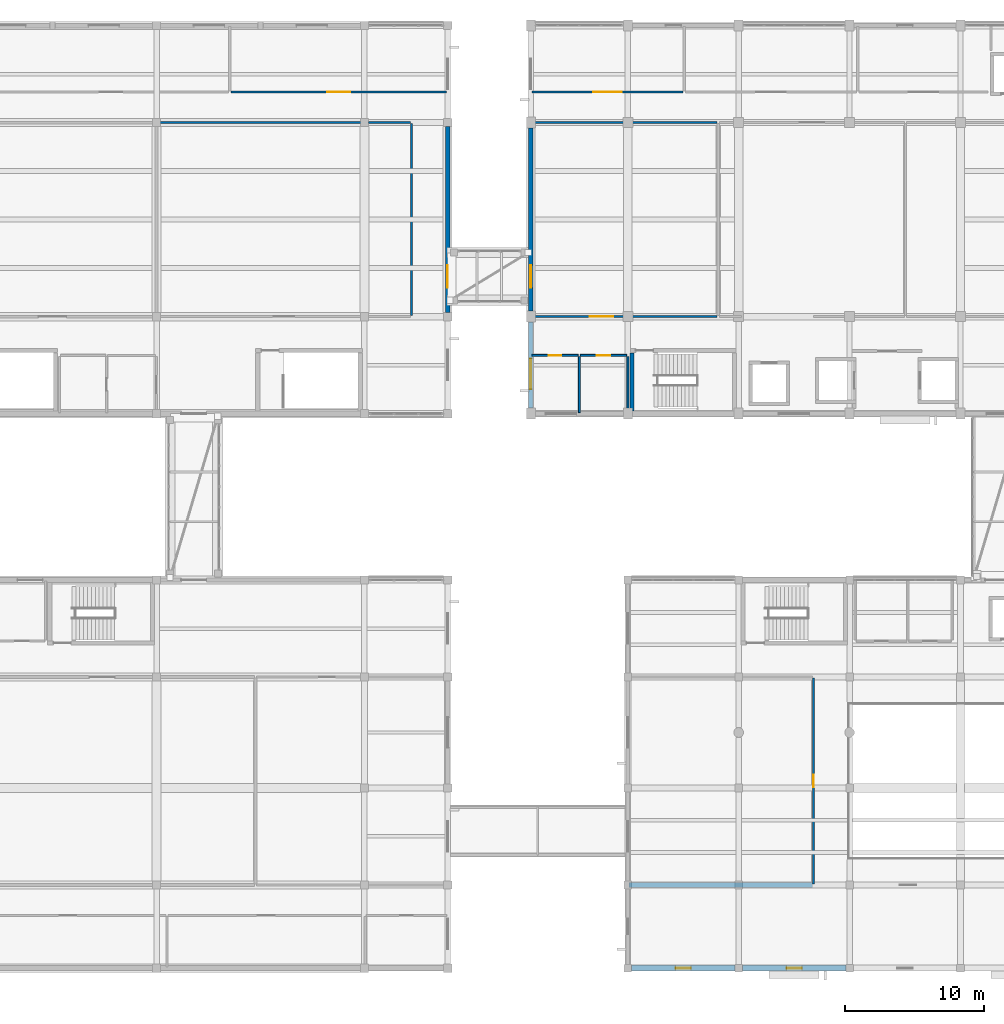
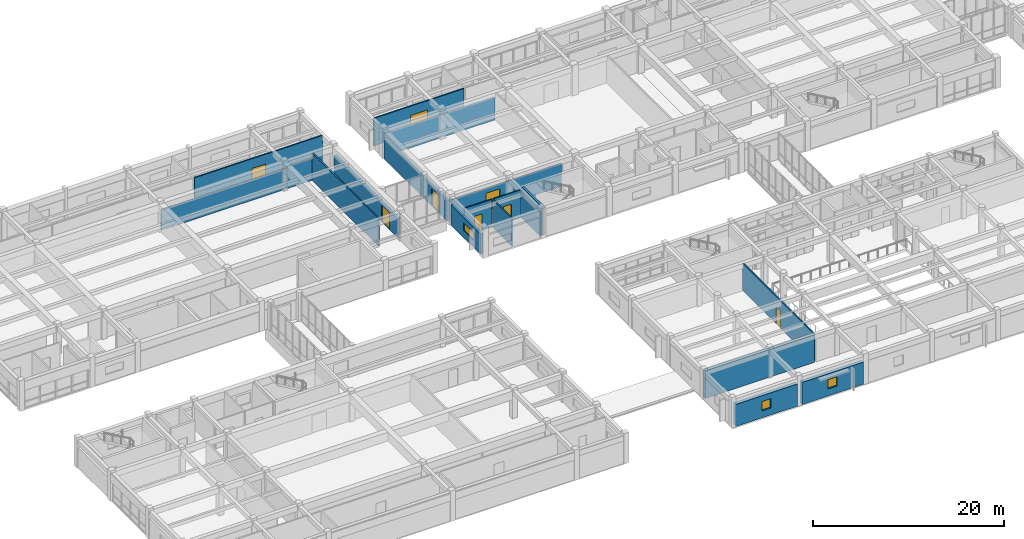
# One storey, part 47 of 66: 19 walls, 8 doors, 3 windows, 11 openings.
"""IFC4 building model written with IfcOpenShell, lengths in metres."""

from ifc_helpers import new_model, si_unit, direction, frame, frame_2d, origin, place, context, subcontext, project, spatial, rectangle, extrude, material, layer, layer_set, type_object, element, fill, save


model = new_model("IFC4")

# Units and contexts
model_context = context("Model", 3, precision=1e-05, world=origin(), true_north=direction((0.0, 1.0)))
body_context = subcontext(model_context, "Body", "Model", "MODEL_VIEW")
ifc_project = project(units=[si_unit("LENGTHUNIT", "METRE"), si_unit("AREAUNIT", "SQUARE_METRE"), si_unit("VOLUMEUNIT", "CUBIC_METRE"), si_unit("PLANEANGLEUNIT", "RADIAN"), si_unit("MASSUNIT", "GRAM", prefix="KILO")], contexts=[model_context])

# Site, building, storey
site_placement = place(None, origin())
site = spatial("IfcSite", under=ifc_project, at=site_placement, CompositionType="ELEMENT")
building_placement = place(site_placement, origin())
building = spatial("IfcBuilding", under=site, at=building_placement, Name="Naurynzar Civic Courthouse", CompositionType="ELEMENT")
storey_placement = place(building_placement, frame((0.0, 0.0, 14.39990234375)))
storey = spatial("IfcBuildingStorey", under=building, at=storey_placement, Name="L04", CompositionType="ELEMENT", Elevation=14.39990234375)

# Wall, opening, door
ifc_material_1 = material(Name="Acoustic Double-Stud Gypsum Partition")
ifc_layer_1 = layer(ifc_material_1, 0.14501953125)
ifc_layer_set_1 = layer_set([ifc_layer_1], Name="WL-ACOUSTIC-145")
wall_type_1 = type_object("IfcWallType", Name="WL-ACOUSTIC-145", PredefinedType="PARTITIONING", material=ifc_layer_set_1)
wall_1_placement = place(storey_placement, frame((62.080078125, 51.0, 0.0), z_axis=(0.0, 0.0, 1.0), x_axis=(1.0, 0.0, 0.0)))
wall_1 = element("IfcWall", 1, at=wall_1_placement, inside=storey, type_object=wall_type_1, Name="V2 interior partition L04.484", PredefinedType="PARTITIONING", context=body_context, shape_type="SweptSolid", body=[
    extrude(rectangle(XDim=13.35986328125, YDim=0.14501953125, at=frame_2d((6.679931640625, 0.0))), origin(), (0.0, 0.0, 1.0), 2.93017578125),
])
opening_1_placement = place(wall_1_placement, frame((4.18603515625, 0.0, 0.0)))
opening_1 = element("IfcOpeningElement", 2, at=opening_1_placement, cuts=wall_1, Name="Opening D-142", PredefinedType="OPENING", context=body_context, shape_type="SweptSolid", body=[
    extrude(rectangle(XDim=1.699951171875, YDim=2.300048828125, at=frame_2d((0.85009765625, 1.14990234375))), frame((0.0, 0.08251953125, 0.0), z_axis=(0.0, -1.0, 0.0), x_axis=(1.0, 0.0, 0.0)), (0.0, 0.0, 1.0), 0.1650390625),
])
ifc_material_2 = material(Name="Acoustic Oak Timber Grade A", Category="wood")
door_type_1 = type_object("IfcDoorType", Name="DR-SUITE-1700x2300", OperationType="DOUBLE_DOOR_SINGLE_SWING", PredefinedType="DOOR", material=ifc_material_2)
door_1_placement = place(opening_1_placement, origin())
door_1 = element("IfcDoor", 3, at=door_1_placement, inside=storey, type_object=door_type_1, Name="Interior door D-142 (Commercial Courtroom 4A)", OperationType="DOUBLE_DOOR_SINGLE_SWING", OverallHeight=2.300048828125, OverallWidth=1.699951171875, PredefinedType="DOOR", context=body_context, shape_type="SweptSolid", body=[
    extrude(rectangle(XDim=1.699951171875, YDim=2.300048828125, at=frame_2d((0.85009765625, 1.14990234375))), frame((0.0, 0.02490234375, 0.0), z_axis=(0.0, -1.0, 0.0), x_axis=(1.0, 0.0, 0.0)), (0.0, 0.0, 1.0), 0.050048828125),
])
fill(opening_1, door_1)

# Walls
wall_2_placement = place(storey_placement, frame((62.080078125, 65.0, 0.0), z_axis=(0.0, 0.0, 1.0), x_axis=(1.0, 0.0, 0.0)))
element("IfcWall", 4, at=wall_2_placement, inside=storey, type_object=wall_type_1, Name="V2 interior partition L04.496", PredefinedType="PARTITIONING", context=body_context, shape_type="SweptSolid", body=[
    extrude(rectangle(XDim=13.35986328125, YDim=0.14501953125, at=frame_2d((6.679931640625, 0.0))), origin(), (0.0, 0.0, 1.0), 2.93017578125),
])
ifc_material_3 = material(Name="Concrete C40/50", Category="concrete")
ifc_layer_2 = layer(ifc_material_3, 0.300048828125)
ifc_layer_set_2 = layer_set([ifc_layer_2], Name="WL-CORE-300")
wall_type_2 = type_object("IfcWallType", Name="WL-CORE-300", PredefinedType="SHEAR", material=ifc_layer_set_2)
wall_3_placement = place(storey_placement, frame((69.300048828125, 48.39501953125, 0.0), z_axis=(0.0, 0.0, 1.0), x_axis=(0.0, -1.0, 0.0)))
element("IfcWall", 5, at=wall_3_placement, inside=storey, type_object=wall_type_2, Name="Stair ST-V2A enclosure wall west L04", PredefinedType="SHEAR", context=body_context, shape_type="SweptSolid", body=[
    extrude(rectangle(XDim=4.199951171875, YDim=0.300048828125, at=frame_2d((2.10009765625, 0.0))), origin(), (0.0, 0.0, 1.0), 3.6201171875),
])
ifc_material_4 = material(Name="Concrete C40/50", Category="concrete")
ifc_layer_3 = layer(ifc_material_4, 0.35009765625)
ifc_layer_set_3 = layer_set([ifc_layer_3], Name="WL-CORE-350")
wall_type_3 = type_object("IfcWallType", Name="WL-CORE-350", PredefinedType="SHEAR", material=ifc_layer_set_3)
wall_4_placement = place(storey_placement, frame((69.080078125, 10.0, 0.0), z_axis=(0.0, 0.0, 1.0), x_axis=(1.0, 0.0, 0.0)))
element("IfcWall", 6, at=wall_4_placement, inside=storey, type_object=wall_type_3, Name="V3 interior partition L04.447", PredefinedType="SHEAR", context=body_context, shape_type="SweptSolid", body=[
    extrude(rectangle(XDim=13.239990234375, YDim=0.35009765625, at=frame_2d((6.6201171875, 0.0))), origin(), (0.0, 0.0, 1.0), 3.5400390625),
])

# Wall, opening, window
ifc_material_5 = material(Name="Precast concrete C40/50", Category="concrete")
ifc_layer_4 = layer(ifc_material_5, 0.300048828125)
ifc_layer_set_4 = layer_set([ifc_layer_4], Name="WL-EXT-300")
wall_type_4 = type_object("IfcWallType", Name="WL-EXT-300", PredefinedType="SOLIDWALL", material=ifc_layer_set_4)
wall_5_placement = place(storey_placement, frame((62.0, 44.39990234375, 0.0), z_axis=(0.0, 0.0, 1.0), x_axis=(0.0, 1.0, 0.0)))
wall_5 = element("IfcWall", 7, at=wall_5_placement, inside=storey, type_object=wall_type_4, Name="V2 exterior wall west L04.1.1", PredefinedType="SOLIDWALL", context=body_context, shape_type="SweptSolid", body=[
    extrude(rectangle(XDim=6.2001953125, YDim=0.300048828125, at=frame_2d((3.10009765625, 0.0))), origin(), (0.0, 0.0, 1.0), 2.610107421875),
])
opening_2_placement = place(wall_5_placement, frame((1.3798828125, 0.0, 0.89990234375)))
opening_2 = element("IfcOpeningElement", 8, at=opening_2_placement, cuts=wall_5, Name="Opening WN-18", PredefinedType="OPENING", context=body_context, shape_type="SweptSolid", body=[
    extrude(rectangle(XDim=2.199951171875, YDim=1.0, at=frame_2d((1.10009765625, 0.5))), frame((0.0, 0.159912109375, 0.0), z_axis=(0.0, -1.0, 0.0), x_axis=(1.0, 0.0, 0.0)), (0.0, 0.0, 1.0), 0.320068359375),
])
ifc_material_6 = material(Name="Tempered Laminated Low-E Glass", Category="glass")
window_type_1 = type_object("IfcWindowType", Name="WIN-CLER-2200x1000", PartitioningType="DOUBLE_PANEL_VERTICAL", PredefinedType="WINDOW", material=ifc_material_6)
window_1_placement = place(opening_2_placement, origin())
window_1 = element("IfcWindow", 9, at=window_1_placement, inside=storey, type_object=window_type_1, Name="V2 window 71 L04", OverallHeight=1.0, OverallWidth=2.199951171875, PartitioningType="SINGLE_PANEL", PredefinedType="WINDOW", context=body_context, shape_type="SweptSolid", body=[
    extrude(rectangle(XDim=2.199951171875, YDim=1.0, at=frame_2d((1.10009765625, 0.5))), frame((0.0, 0.030029296875, 0.0), z_axis=(0.0, -1.0, 0.0), x_axis=(1.0, 0.0, 0.0)), (0.0, 0.0, 1.0), 0.06005859375),
])
fill(opening_2, window_1)

# Wall, opening, door
wall_6_placement = place(storey_placement, frame((62.0, 51.39990234375, 0.0), z_axis=(0.0, 0.0, 1.0), x_axis=(0.0, 1.0, 0.0)))
wall_6 = element("IfcWall", 10, at=wall_6_placement, inside=storey, type_object=wall_type_4, Name="V2 exterior wall west L04.2.1", PredefinedType="SOLIDWALL", context=body_context, shape_type="SweptSolid", body=[
    extrude(rectangle(XDim=13.2001953125, YDim=0.300048828125, at=frame_2d((6.60009765625, 0.0))), origin(), (0.0, 0.0, 1.0), 2.610107421875),
])
opening_3_placement = place(wall_6_placement, frame((1.675048828125, 0.0, 0.0)))
opening_3 = element("IfcOpeningElement", 11, at=opening_3_placement, cuts=wall_6, Name="Opening BD-14", PredefinedType="OPENING", context=body_context, shape_type="SweptSolid", body=[
    extrude(rectangle(XDim=1.64990234375, YDim=2.199951171875, at=frame_2d((0.824951171875, 1.10009765625))), frame((0.0, 0.159912109375, 0.0), z_axis=(0.0, -1.0, 0.0), x_axis=(1.0, 0.0, 0.0)), (0.0, 0.0, 1.0), 0.320068359375),
])
ifc_material_7 = material(Name="Aluminium 6063-T6", Category="aluminium")
door_type_2 = type_object("IfcDoorType", Name="DR-BRG-1650x2200", OperationType="DOUBLE_DOOR_SINGLE_SWING", PredefinedType="DOOR", material=ifc_material_7)
door_2_placement = place(opening_3_placement, origin())
door_2 = element("IfcDoor", 12, at=door_2_placement, inside=storey, type_object=door_type_2, Name="Seismic bridge fire door BD-14", OperationType="DOUBLE_DOOR_SINGLE_SWING", OverallHeight=2.199951171875, OverallWidth=1.64990234375, PredefinedType="DOOR", context=body_context, shape_type="SweptSolid", body=[
    extrude(rectangle(XDim=1.64990234375, YDim=2.199951171875, at=frame_2d((0.824951171875, 1.10009765625))), frame((0.0, 0.02490234375, 0.0), z_axis=(0.0, -1.0, 0.0), x_axis=(1.0, 0.0, 0.0)), (0.0, 0.0, 1.0), 0.050048828125),
])
fill(opening_3, door_2)

ifc_material_8 = material(Name="Precast concrete C40/50", Category="concrete")
ifc_layer_5 = layer(ifc_material_8, 0.320068359375)
ifc_layer_set_5 = layer_set([ifc_layer_5], Name="WL-EXT-320")
wall_type_5 = type_object("IfcWallType", Name="WL-EXT-320", PredefinedType="SOLIDWALL", material=ifc_layer_set_5)
wall_7_placement = place(storey_placement, frame((56.0, 64.699951171875, 0.0), z_axis=(0.0, 0.0, 1.0), x_axis=(0.0, -1.0, 0.0)))
wall_7 = element("IfcWall", 13, at=wall_7_placement, inside=storey, type_object=wall_type_5, Name="V1 exterior wall east L04.2.1", PredefinedType="SOLIDWALL", context=body_context, shape_type="SweptSolid", body=[
    extrude(rectangle(XDim=13.39990234375, YDim=0.320068359375, at=frame_2d((6.699951171875, 0.0))), origin(), (0.0, 0.0, 1.0), 2.460205078125),
])
opening_4_placement = place(wall_7_placement, frame((9.97509765625, 0.0, 0.0)))
opening_4 = element("IfcOpeningElement", 14, at=opening_4_placement, cuts=wall_7, Name="Opening BD-06", PredefinedType="OPENING", context=body_context, shape_type="SweptSolid", body=[
    extrude(rectangle(XDim=1.64990234375, YDim=2.199951171875, at=frame_2d((0.824951171875, 1.10009765625))), frame((0.0, 0.169921875, 0.0), z_axis=(0.0, -1.0, 0.0), x_axis=(1.0, 0.0, 0.0)), (0.0, 0.0, 1.0), 0.340087890625),
])
door_3_placement = place(opening_4_placement, origin())
door_3 = element("IfcDoor", 15, at=door_3_placement, inside=storey, type_object=door_type_2, Name="Seismic bridge fire door BD-06", OperationType="DOUBLE_DOOR_SINGLE_SWING", OverallHeight=2.199951171875, OverallWidth=1.64990234375, PredefinedType="DOOR", context=body_context, shape_type="SweptSolid", body=[
    extrude(rectangle(XDim=1.64990234375, YDim=2.199951171875, at=frame_2d((0.824951171875, 1.10009765625))), frame((0.0, 0.02490234375, 0.0), z_axis=(0.0, -1.0, 0.0), x_axis=(1.0, 0.0, 0.0)), (0.0, 0.0, 1.0), 0.050048828125),
])
fill(opening_4, door_3)

ifc_material_9 = material(Name="Insulated Metal-Stud Gypsum Partition")
ifc_layer_6 = layer(ifc_material_9, 0.159912109375)
ifc_layer_set_6 = layer_set([ifc_layer_6], Name="WL-PART-CHAMB-160")
wall_type_6 = type_object("IfcWallType", Name="WL-PART-CHAMB-160", PredefinedType="PARTITIONING", material=ifc_layer_set_6)
wall_8_placement = place(storey_placement, frame((40.3701171875, 67.199951171875, 0.0), z_axis=(0.0, 0.0, 1.0), x_axis=(1.0, 0.0, 0.0)))
wall_8 = element("IfcWall", 16, at=wall_8_placement, inside=storey, type_object=wall_type_6, Name="V1 interior partition L04.506", PredefinedType="PARTITIONING", context=body_context, shape_type="SweptSolid", body=[
    extrude(rectangle(XDim=15.5498046875, YDim=0.159912109375, at=frame_2d((7.77490234375, 0.0))), origin(), (0.0, 0.0, 1.0), 3.5400390625),
])
opening_5_placement = place(wall_8_placement, frame((6.949951171875, 0.0, 0.0)))
opening_5 = element("IfcOpeningElement", 17, at=opening_5_placement, cuts=wall_8, Name="Opening D-048", PredefinedType="OPENING", context=body_context, shape_type="SweptSolid", body=[
    extrude(rectangle(XDim=1.64990234375, YDim=2.300048828125, at=frame_2d((0.824951171875, 1.14990234375))), frame((0.0, 0.08984375, 0.0), z_axis=(0.0, -1.0, 0.0), x_axis=(1.0, 0.0, 0.0)), (0.0, 0.0, 1.0), 0.179931640625),
])
ifc_material_10 = material(Name="Acoustic Oak Timber Grade A", Category="wood")
door_type_3 = type_object("IfcDoorType", Name="DR-SUITE-1650x2300", OperationType="DOUBLE_DOOR_SINGLE_SWING", PredefinedType="DOOR", material=ifc_material_10)
door_4_placement = place(opening_5_placement, origin())
door_4 = element("IfcDoor", 18, at=door_4_placement, inside=storey, type_object=door_type_3, Name="Interior door D-048 (Appellate Clerks' Chambers)", OperationType="DOUBLE_DOOR_SINGLE_SWING", OverallHeight=2.300048828125, OverallWidth=1.64990234375, PredefinedType="DOOR", context=body_context, shape_type="SweptSolid", body=[
    extrude(rectangle(XDim=1.64990234375, YDim=2.300048828125, at=frame_2d((0.824951171875, 1.14990234375))), frame((0.0, 0.02490234375, 0.0), z_axis=(0.0, -1.0, 0.0), x_axis=(1.0, 0.0, 0.0)), (0.0, 0.0, 1.0), 0.050048828125),
])
fill(opening_5, door_4)

wall_9_placement = place(storey_placement, frame((62.080078125, 67.199951171875, 0.0), z_axis=(0.0, 0.0, 1.0), x_axis=(1.0, 0.0, 0.0)))
wall_9 = element("IfcWall", 19, at=wall_9_placement, inside=storey, type_object=wall_type_6, Name="V2 interior partition L04.507", PredefinedType="PARTITIONING", context=body_context, shape_type="SweptSolid", body=[
    extrude(rectangle(XDim=10.909912109375, YDim=0.159912109375, at=frame_2d((5.455078125, 0.0))), origin(), (0.0, 0.0, 1.0), 3.5400390625),
])
opening_6_placement = place(wall_9_placement, frame((4.429931640625, 0.0, 0.0)))
opening_6 = element("IfcOpeningElement", 20, at=opening_6_placement, cuts=wall_9, Name="Opening D-146", PredefinedType="OPENING", context=body_context, shape_type="SweptSolid", body=[
    extrude(rectangle(XDim=2.050048828125, YDim=2.35009765625, at=frame_2d((1.02490234375, 1.175048828125))), frame((0.0, 0.08984375, 0.0), z_axis=(0.0, -1.0, 0.0), x_axis=(1.0, 0.0, 0.0)), (0.0, 0.0, 1.0), 0.179931640625),
])
ifc_material_11 = material(Name="Acoustic Oak Timber Grade A", Category="wood")
door_type_4 = type_object("IfcDoorType", Name="DR-SUITE-2050x2350", OperationType="DOUBLE_DOOR_SINGLE_SWING", PredefinedType="DOOR", material=ifc_material_11)
door_5_placement = place(opening_6_placement, origin())
door_5 = element("IfcDoor", 21, at=door_5_placement, inside=storey, type_object=door_type_4, Name="Interior door D-146 (Judges' Chambers L04-1)", OperationType="DOUBLE_DOOR_SINGLE_SWING", OverallHeight=2.35009765625, OverallWidth=2.050048828125, PredefinedType="DOOR", context=body_context, shape_type="SweptSolid", body=[
    extrude(rectangle(XDim=2.050048828125, YDim=2.35009765625, at=frame_2d((1.02490234375, 1.175048828125))), frame((0.0, 0.02490234375, 0.0), z_axis=(0.0, -1.0, 0.0), x_axis=(1.0, 0.0, 0.0)), (0.0, 0.0, 1.0), 0.050048828125),
])
fill(opening_6, door_5)

# Walls
ifc_material_12 = material(Name="Fire-Rated Corridor Gypsum Partition")
ifc_layer_7 = layer(ifc_material_12, 0.14990234375)
ifc_layer_set_7 = layer_set([ifc_layer_7], Name="WL-PART-CORR-150")
wall_type_7 = type_object("IfcWallType", Name="WL-PART-CORR-150", PredefinedType="PARTITIONING", material=ifc_layer_set_7)
wall_10_placement = place(storey_placement, frame((35.080078125, 65.0, 0.0), z_axis=(0.0, 0.0, 1.0), x_axis=(1.0, 0.0, 0.0)))
element("IfcWall", 22, at=wall_10_placement, inside=storey, type_object=wall_type_7, Name="V1 interior partition L04.495a", PredefinedType="PARTITIONING", context=body_context, shape_type="SweptSolid", body=[
    extrude(rectangle(XDim=15.219970703125, YDim=0.14990234375, at=frame_2d((7.60986328125, 0.0))), origin(), (0.0, 0.0, 1.0), 2.630126953125),
])
wall_11_placement = place(storey_placement, frame((50.300048828125, 65.0, 0.0), z_axis=(0.0, 0.0, 1.0), x_axis=(1.0, 0.0, 0.0)))
element("IfcWall", 23, at=wall_11_placement, inside=storey, type_object=wall_type_7, Name="V1 interior partition L04.495ab", PredefinedType="PARTITIONING", context=body_context, shape_type="SweptSolid", body=[
    extrude(rectangle(XDim=3.02001953125, YDim=0.14990234375, at=frame_2d((1.510009765625, 0.0))), origin(), (0.0, 0.0, 1.0), 2.830078125),
])
wall_12_placement = place(storey_placement, frame((53.39990234375, 51.080078125, 0.0), z_axis=(0.0, 0.0, 1.0), x_axis=(0.0, 1.0, 0.0)))
element("IfcWall", 24, at=wall_12_placement, inside=storey, type_object=wall_type_7, Name="V1 interior partition L04.530", PredefinedType="PARTITIONING", context=body_context, shape_type="SweptSolid", body=[
    extrude(rectangle(XDim=13.83984375, YDim=0.14990234375, at=frame_2d((6.919921875, 0.0))), origin(), (0.0, 0.0, 1.0), 3.5400390625),
])

# Wall, opening, door
wall_13_placement = place(storey_placement, frame((82.39990234375, 10.080078125, 0.0), z_axis=(0.0, 0.0, 1.0), x_axis=(0.0, 1.0, 0.0)))
wall_13 = element("IfcWall", 25, at=wall_13_placement, inside=storey, type_object=wall_type_7, Name="V3 interior partition L04.535", PredefinedType="PARTITIONING", context=body_context, shape_type="SweptSolid", body=[
    extrude(rectangle(XDim=14.83984375, YDim=0.14990234375, at=frame_2d((7.419921875, 0.0))), origin(), (0.0, 0.0, 1.0), 3.5400390625),
])
opening_7_placement = place(wall_13_placement, frame((6.969970703125, 0.0, 0.0)))
opening_7 = element("IfcOpeningElement", 26, at=opening_7_placement, cuts=wall_13, Name="Opening D-250", PredefinedType="OPENING", context=body_context, shape_type="SweptSolid", body=[
    extrude(rectangle(XDim=0.89990234375, YDim=2.14990234375, at=frame_2d((0.449951171875, 1.074951171875))), frame((0.0, 0.0849609375, 0.0), z_axis=(0.0, -1.0, 0.0), x_axis=(1.0, 0.0, 0.0)), (0.0, 0.0, 1.0), 0.169921875),
])
ifc_material_13 = material(Name="Acoustic Oak Timber Grade A", Category="wood")
door_type_5 = type_object("IfcDoorType", Name="DR-SUITE-900x2150", OperationType="NOTDEFINED", PredefinedType="DOOR", material=ifc_material_13)
door_6_placement = place(opening_7_placement, origin())
door_6 = element("IfcDoor", 27, at=door_6_placement, inside=storey, type_object=door_type_5, Name="Interior door D-250 (Law Library Reading Room West)", OperationType="SINGLE_SWING_RIGHT", OverallHeight=2.14990234375, OverallWidth=0.89990234375, PredefinedType="DOOR", context=body_context, shape_type="SweptSolid", body=[
    extrude(rectangle(XDim=0.89990234375, YDim=2.14990234375, at=frame_2d((0.449951171875, 1.074951171875))), frame((0.0, 0.02490234375, 0.0), z_axis=(0.0, -1.0, 0.0), x_axis=(1.0, 0.0, 0.0)), (0.0, 0.0, 1.0), 0.050048828125),
])
fill(opening_7, door_6)

ifc_material_14 = material(Name="Moisture-Resistant Plumbing Partition")
ifc_layer_8 = layer(ifc_material_14, 0.139892578125)
ifc_layer_set_8 = layer_set([ifc_layer_8], Name="WL-PART-WC-140")
wall_type_8 = type_object("IfcWallType", Name="WL-PART-WC-140", PredefinedType="PLUMBINGWALL", material=ifc_layer_set_8)
wall_14_placement = place(storey_placement, frame((62.080078125, 48.199951171875, 0.0), z_axis=(0.0, 0.0, 1.0), x_axis=(1.0, 0.0, 0.0)))
wall_14 = element("IfcWall", 28, at=wall_14_placement, inside=storey, type_object=wall_type_8, Name="V2 interior partition L04.476", PredefinedType="PLUMBINGWALL", context=body_context, shape_type="SweptSolid", body=[
    extrude(rectangle(XDim=3.33984375, YDim=0.139892578125, at=frame_2d((1.669921875, 0.0))), origin(), (0.0, 0.0, 1.0), 3.5400390625),
])
opening_8_placement = place(wall_14_placement, frame((1.2099609375, 0.0, 0.0)))
opening_8 = element("IfcOpeningElement", 29, at=opening_8_placement, cuts=wall_14, Name="Opening D-139", PredefinedType="OPENING", context=body_context, shape_type="SweptSolid", body=[
    extrude(rectangle(XDim=0.919921875, YDim=2.10009765625, at=frame_2d((0.4599609375, 1.050048828125))), frame((0.0, 0.079833984375, 0.0), z_axis=(0.0, -1.0, 0.0), x_axis=(1.0, 0.0, 0.0)), (0.0, 0.0, 1.0), 0.159912109375),
])
ifc_material_15 = material(Name="Acoustic Oak Timber Grade A", Category="wood")
door_type_6 = type_object("IfcDoorType", Name="DR-WC-STD-920x2100", OperationType="NOTDEFINED", PredefinedType="DOOR", material=ifc_material_15)
door_7_placement = place(opening_8_placement, origin())
door_7 = element("IfcDoor", 30, at=door_7_placement, inside=storey, type_object=door_type_6, Name="Interior door D-139 (Public WC V2)", OperationType="SINGLE_SWING_LEFT", OverallHeight=2.10009765625, OverallWidth=0.919921875, PredefinedType="DOOR", context=body_context, shape_type="SweptSolid", body=[
    extrude(rectangle(XDim=0.919921875, YDim=2.10009765625, at=frame_2d((0.4599609375, 1.050048828125))), frame((0.0, 0.02490234375, 0.0), z_axis=(0.0, -1.0, 0.0), x_axis=(1.0, 0.0, 0.0)), (0.0, 0.0, 1.0), 0.050048828125),
])
fill(opening_8, door_7)

wall_15_placement = place(storey_placement, frame((65.580078125, 48.199951171875, 0.0), z_axis=(0.0, 0.0, 1.0), x_axis=(1.0, 0.0, 0.0)))
wall_15 = element("IfcWall", 31, at=wall_15_placement, inside=storey, type_object=wall_type_8, Name="V2 interior partition L04.477", PredefinedType="PLUMBINGWALL", context=body_context, shape_type="SweptSolid", body=[
    extrude(rectangle(XDim=3.33984375, YDim=0.139892578125, at=frame_2d((1.669921875, 0.0))), origin(), (0.0, 0.0, 1.0), 3.5400390625),
])
opening_9_placement = place(wall_15_placement, frame((1.18994140625, 0.0, 0.0)))
opening_9 = element("IfcOpeningElement", 32, at=opening_9_placement, cuts=wall_15, Name="Opening D-140", PredefinedType="OPENING", context=body_context, shape_type="SweptSolid", body=[
    extrude(rectangle(XDim=0.9599609375, YDim=2.10009765625, at=frame_2d((0.47998046875, 1.050048828125))), frame((0.0, 0.079833984375, 0.0), z_axis=(0.0, -1.0, 0.0), x_axis=(1.0, 0.0, 0.0)), (0.0, 0.0, 1.0), 0.159912109375),
])
ifc_material_16 = material(Name="Acoustic Oak Timber Grade A", Category="wood")
door_type_7 = type_object("IfcDoorType", Name="DR-WC-ACC-960x2100", OperationType="NOTDEFINED", PredefinedType="DOOR", material=ifc_material_16)
door_8_placement = place(opening_9_placement, origin())
door_8 = element("IfcDoor", 33, at=door_8_placement, inside=storey, type_object=door_type_7, Name="Interior door D-140 (Accessible WC V2)", OperationType="SINGLE_SWING_RIGHT", OverallHeight=2.10009765625, OverallWidth=0.9599609375, PredefinedType="DOOR", context=body_context, shape_type="SweptSolid", body=[
    extrude(rectangle(XDim=0.9599609375, YDim=2.10009765625, at=frame_2d((0.47998046875, 1.050048828125))), frame((0.0, 0.02490234375, 0.0), z_axis=(0.0, -1.0, 0.0), x_axis=(1.0, 0.0, 0.0)), (0.0, 0.0, 1.0), 0.050048828125),
])
fill(opening_9, door_8)

# Walls
wall_16_placement = place(storey_placement, frame((65.5, 44.080078125, 0.0), z_axis=(0.0, 0.0, 1.0), x_axis=(0.0, 1.0, 0.0)))
element("IfcWall", 34, at=wall_16_placement, inside=storey, type_object=wall_type_8, Name="V2 interior partition L04.531", PredefinedType="PLUMBINGWALL", context=body_context, shape_type="SweptSolid", body=[
    extrude(rectangle(XDim=4.0400390625, YDim=0.139892578125, at=frame_2d((2.02001953125, 0.0))), origin(), (0.0, 0.0, 1.0), 3.5400390625),
])
wall_17_placement = place(storey_placement, frame((69.0, 44.080078125, 0.0), z_axis=(0.0, 0.0, 1.0), x_axis=(0.0, 1.0, 0.0)))
element("IfcWall", 35, at=wall_17_placement, inside=storey, type_object=wall_type_8, Name="V2 interior partition L04.532", PredefinedType="PLUMBINGWALL", context=body_context, shape_type="SweptSolid", body=[
    extrude(rectangle(XDim=4.0400390625, YDim=0.139892578125, at=frame_2d((2.02001953125, 0.0))), origin(), (0.0, 0.0, 1.0), 2.97998046875),
])

# Wall, opening, window
ifc_material_17 = material(Name="Concrete C40/50", Category="concrete")
ifc_layer_9 = layer(ifc_material_17, 0.419921875)
ifc_layer_set_9 = layer_set([ifc_layer_9], Name="WL-STACK-420")
wall_type_9 = type_object("IfcWallType", Name="WL-STACK-420", PredefinedType="SOLIDWALL", material=ifc_layer_set_9)
wall_18_placement = place(storey_placement, frame((84.72509765625, 4.0, 0.0), z_axis=(0.0, 0.0, 1.0), x_axis=(-1.0, 0.0, 0.0)))
wall_18 = element("IfcWall", 36, at=wall_18_placement, inside=storey, type_object=wall_type_9, Name="V3 exterior wall south L04.5.1", PredefinedType="SOLIDWALL", context=body_context, shape_type="SweptSolid", body=[
    extrude(rectangle(XDim=7.4501953125, YDim=0.419921875, at=frame_2d((3.72509765625, 0.0))), origin(), (0.0, 0.0, 1.0), 2.840087890625),
])
opening_10_placement = place(wall_18_placement, frame((3.175048828125, 0.0, 0.89990234375)))
opening_10 = element("IfcOpeningElement", 37, at=opening_10_placement, cuts=wall_18, Name="Opening WN-15", PredefinedType="OPENING", context=body_context, shape_type="SweptSolid", body=[
    extrude(rectangle(XDim=1.10009765625, YDim=1.199951171875, at=frame_2d((0.550048828125, 0.60009765625))), frame((0.0, 0.219970703125, 0.0), z_axis=(0.0, -1.0, 0.0), x_axis=(1.0, 0.0, 0.0)), (0.0, 0.0, 1.0), 0.43994140625),
])
ifc_material_18 = material(Name="Tempered Laminated Low-E Glass", Category="glass")
window_type_2 = type_object("IfcWindowType", Name="WIN-SEC-1100x1200", PartitioningType="SINGLE_PANEL", PredefinedType="WINDOW", material=ifc_material_18)
window_2_placement = place(opening_10_placement, origin())
window_2 = element("IfcWindow", 38, at=window_2_placement, inside=storey, type_object=window_type_2, Name="V3 window 188 L04", OverallHeight=1.199951171875, OverallWidth=1.10009765625, PartitioningType="SINGLE_PANEL", PredefinedType="WINDOW", context=body_context, shape_type="SweptSolid", body=[
    extrude(rectangle(XDim=1.10009765625, YDim=1.199951171875, at=frame_2d((0.550048828125, 0.60009765625))), frame((0.0, 0.030029296875, 0.0), z_axis=(0.0, -1.0, 0.0), x_axis=(1.0, 0.0, 0.0)), (0.0, 0.0, 1.0), 0.06005859375),
])
fill(opening_10, window_2)

wall_19_placement = place(storey_placement, frame((76.72509765625, 4.0, 0.0), z_axis=(0.0, 0.0, 1.0), x_axis=(-1.0, 0.0, 0.0)))
wall_19 = element("IfcWall", 39, at=wall_19_placement, inside=storey, type_object=wall_type_9, Name="V3 exterior wall south L04.6.1", PredefinedType="SOLIDWALL", context=body_context, shape_type="SweptSolid", body=[
    extrude(rectangle(XDim=7.4501953125, YDim=0.419921875, at=frame_2d((3.72509765625, 0.0))), origin(), (0.0, 0.0, 1.0), 2.840087890625),
])
opening_11_placement = place(wall_19_placement, frame((3.175048828125, 0.0, 0.89990234375)))
opening_11 = element("IfcOpeningElement", 40, at=opening_11_placement, cuts=wall_19, Name="Opening WN-15", PredefinedType="OPENING", context=body_context, shape_type="SweptSolid", body=[
    extrude(rectangle(XDim=1.10009765625, YDim=1.199951171875, at=frame_2d((0.550048828125, 0.60009765625))), frame((0.0, 0.219970703125, 0.0), z_axis=(0.0, -1.0, 0.0), x_axis=(1.0, 0.0, 0.0)), (0.0, 0.0, 1.0), 0.43994140625),
])
window_3_placement = place(opening_11_placement, origin())
window_3 = element("IfcWindow", 41, at=window_3_placement, inside=storey, type_object=window_type_2, Name="V3 window 189 L04", OverallHeight=1.199951171875, OverallWidth=1.10009765625, PartitioningType="SINGLE_PANEL", PredefinedType="WINDOW", context=body_context, shape_type="SweptSolid", body=[
    extrude(rectangle(XDim=1.10009765625, YDim=1.199951171875, at=frame_2d((0.550048828125, 0.60009765625))), frame((0.0, 0.030029296875, 0.0), z_axis=(0.0, -1.0, 0.0), x_axis=(1.0, 0.0, 0.0)), (0.0, 0.0, 1.0), 0.06005859375),
])
fill(opening_11, window_3)

save(model, "model.ifc")
